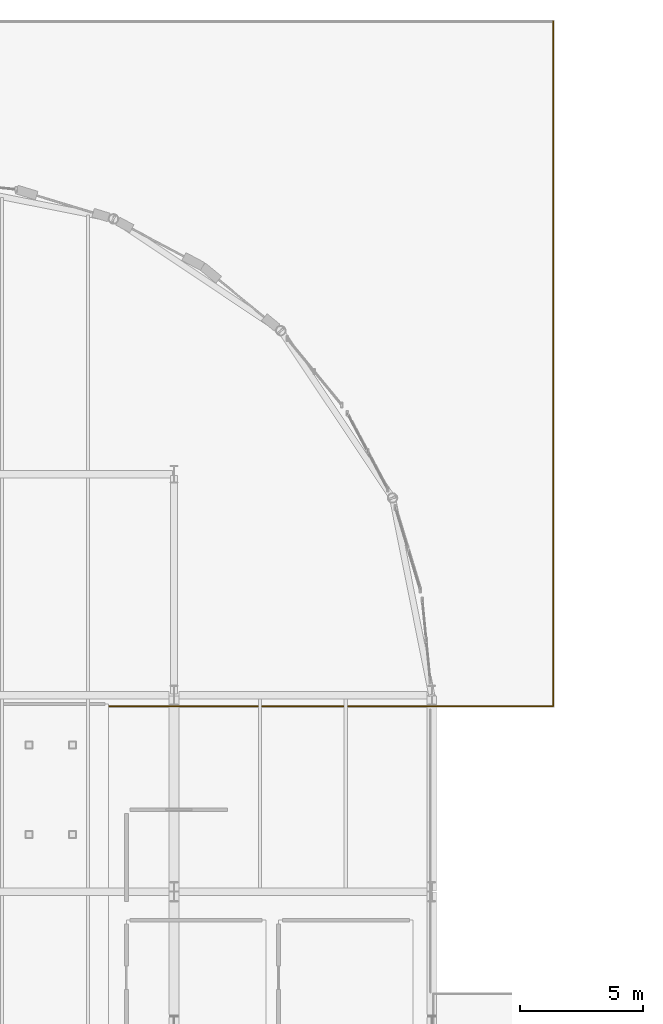
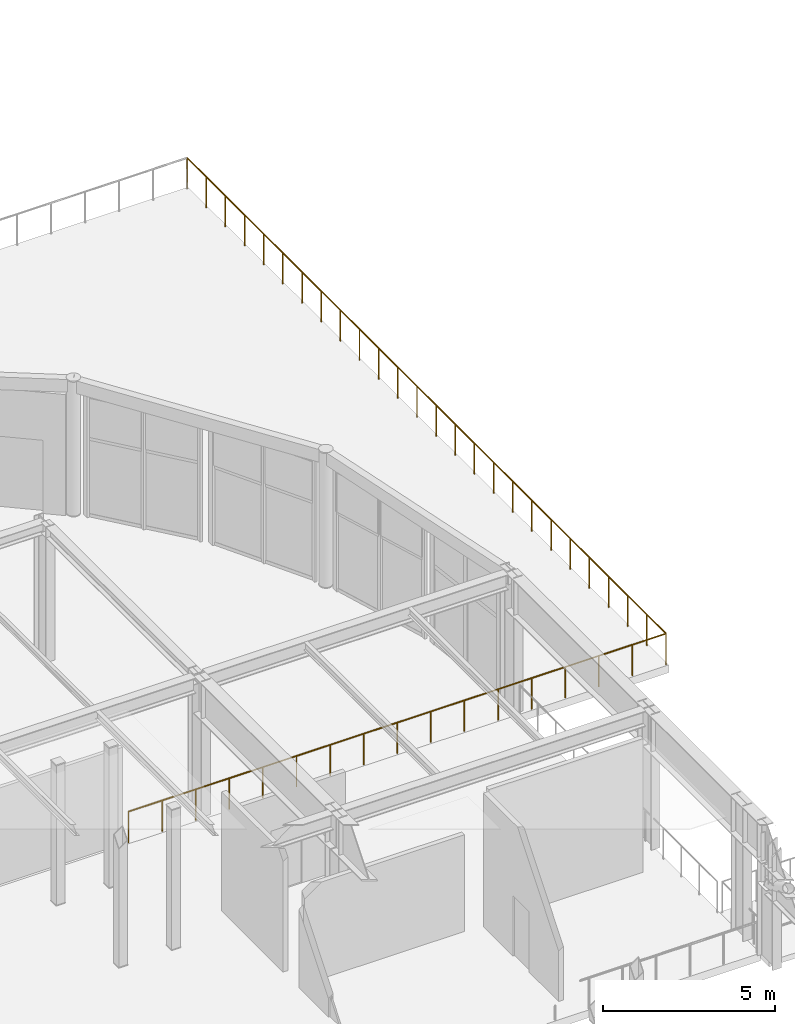
# One storey, part 131 of 143: 1 railing.
"""IFC4 building model written with IfcOpenShell, lengths in metres."""

from ifc_helpers import new_model, si_unit, direction, frame, origin, origin_2d, place, context, subcontext, project, spatial, circle, extrude, material, type_object, element, save


model = new_model("IFC4")

# Units and contexts
model_context = context("Model", 3, precision=1e-05, world=origin(), true_north=direction((0.0, 1.0)))
body_context = subcontext(model_context, "Body", "Model", "MODEL_VIEW")
ifc_project = project(units=[si_unit("LENGTHUNIT", "METRE"), si_unit("AREAUNIT", "SQUARE_METRE"), si_unit("VOLUMEUNIT", "CUBIC_METRE"), si_unit("PLANEANGLEUNIT", "RADIAN"), si_unit("MASSUNIT", "GRAM", prefix="KILO")], contexts=[model_context])

# Site, building, storey
site_placement = place(None, origin())
site = spatial("IfcSite", under=ifc_project, at=site_placement, CompositionType="ELEMENT")
building_placement = place(site_placement, origin())
building = spatial("IfcBuilding", under=site, at=building_placement, Name="Marlcrest Central Station", CompositionType="ELEMENT")
storey_placement = place(building_placement, frame((0.0, 0.0, 4.800048828125)))
storey = spatial("IfcBuildingStorey", under=building, at=storey_placement, Name="L01", CompositionType="ELEMENT", Elevation=4.800048828125)

# Railing
ifc_material = material(Name="Stainless steel and laminated glass concourse balustrade", Category="steel")
railing_type = type_object("IfcRailingType", Name="GR-02", PredefinedType="BALUSTRADE", material=ifc_material)
railing_placement = place(storey_placement, frame((133.93994140625, 137.93994140625, 0.0)))
element("IfcRailing", 1, at=railing_placement, inside=storey, type_object=railing_type, Name="hr-L01-00367", PredefinedType="BALUSTRADE", context=body_context, shape_type="SweptSolid", body=[
    extrude(circle(Radius=0.02392578125, at=origin_2d()), frame((0.0, 0.0, 1.09619140625), z_axis=(0.0, -1.0, 0.0), x_axis=(1.0, 0.0, 0.0)), (0.0, 0.0, 1.0), 27.8798828125),
    extrude(circle(Radius=0.02392578125, at=origin_2d()), frame((0.0, -27.8798828125, 1.09619140625), z_axis=(-1.0, 0.0, 0.0), x_axis=(0.0, -1.0, 0.0)), (0.0, 0.0, 1.0), 18.06689453125),
    extrude(circle(Radius=0.02099609375, at=origin_2d()), origin(), (0.0, 0.0, 1.0), 1.072021484375),
    extrude(circle(Radius=0.02099609375, at=origin_2d()), frame((0.0, -1.115234375, 0.0)), (0.0, 0.0, 1.0), 1.072021484375),
    extrude(circle(Radius=0.02099609375, at=origin_2d()), frame((0.0, -2.23046875, 0.0)), (0.0, 0.0, 1.0), 1.072021484375),
    extrude(circle(Radius=0.02099609375, at=origin_2d()), frame((0.0, -3.345703125, 0.0)), (0.0, 0.0, 1.0), 1.072021484375),
    extrude(circle(Radius=0.02099609375, at=origin_2d()), frame((0.0, -4.460693359375, 0.0)), (0.0, 0.0, 1.0), 1.072021484375),
    extrude(circle(Radius=0.02099609375, at=origin_2d()), frame((0.0, -5.575927734375, 0.0)), (0.0, 0.0, 1.0), 1.072021484375),
    extrude(circle(Radius=0.02099609375, at=origin_2d()), frame((0.0, -6.691162109375, 0.0)), (0.0, 0.0, 1.0), 1.072021484375),
    extrude(circle(Radius=0.02099609375, at=origin_2d()), frame((0.0, -7.806396484375, 0.0)), (0.0, 0.0, 1.0), 1.072021484375),
    extrude(circle(Radius=0.02099609375, at=origin_2d()), frame((0.0, -8.921630859375, 0.0)), (0.0, 0.0, 1.0), 1.072021484375),
    extrude(circle(Radius=0.02099609375, at=origin_2d()), frame((0.0, -10.036865234375, 0.0)), (0.0, 0.0, 1.0), 1.072021484375),
    extrude(circle(Radius=0.02099609375, at=origin_2d()), frame((0.0, -11.15185546875, 0.0)), (0.0, 0.0, 1.0), 1.072021484375),
    extrude(circle(Radius=0.02099609375, at=origin_2d()), frame((0.0, -12.26708984375, 0.0)), (0.0, 0.0, 1.0), 1.072021484375),
    extrude(circle(Radius=0.02099609375, at=origin_2d()), frame((0.0, -13.38232421875, 0.0)), (0.0, 0.0, 1.0), 1.072021484375),
    extrude(circle(Radius=0.02099609375, at=origin_2d()), frame((0.0, -14.49755859375, 0.0)), (0.0, 0.0, 1.0), 1.072021484375),
    extrude(circle(Radius=0.02099609375, at=origin_2d()), frame((0.0, -15.61279296875, 0.0)), (0.0, 0.0, 1.0), 1.072021484375),
    extrude(circle(Radius=0.02099609375, at=origin_2d()), frame((0.0, -16.72802734375, 0.0)), (0.0, 0.0, 1.0), 1.072021484375),
    extrude(circle(Radius=0.02099609375, at=origin_2d()), frame((0.0, -17.843017578125, 0.0)), (0.0, 0.0, 1.0), 1.072021484375),
    extrude(circle(Radius=0.02099609375, at=origin_2d()), frame((0.0, -18.958251953125, 0.0)), (0.0, 0.0, 1.0), 1.072021484375),
    extrude(circle(Radius=0.02099609375, at=origin_2d()), frame((0.0, -20.073486328125, 0.0)), (0.0, 0.0, 1.0), 1.072021484375),
    extrude(circle(Radius=0.02099609375, at=origin_2d()), frame((0.0, -21.188720703125, 0.0)), (0.0, 0.0, 1.0), 1.072021484375),
    extrude(circle(Radius=0.02099609375, at=origin_2d()), frame((0.0, -22.303955078125, 0.0)), (0.0, 0.0, 1.0), 1.072021484375),
    extrude(circle(Radius=0.02099609375, at=origin_2d()), frame((0.0, -23.419189453125, 0.0)), (0.0, 0.0, 1.0), 1.072021484375),
    extrude(circle(Radius=0.02099609375, at=origin_2d()), frame((0.0, -24.5341796875, 0.0)), (0.0, 0.0, 1.0), 1.072021484375),
    extrude(circle(Radius=0.02099609375, at=origin_2d()), frame((0.0, -25.6494140625, 0.0)), (0.0, 0.0, 1.0), 1.072021484375),
    extrude(circle(Radius=0.02099609375, at=origin_2d()), frame((0.0, -26.7646484375, 0.0)), (0.0, 0.0, 1.0), 1.072021484375),
    extrude(circle(Radius=0.02099609375, at=origin_2d()), frame((0.0, -27.8798828125, 0.0)), (0.0, 0.0, 1.0), 1.072021484375),
    extrude(circle(Radius=0.02099609375, at=origin_2d()), frame((-1.129150390625, -27.8798828125, 0.0)), (0.0, 0.0, 1.0), 1.072021484375),
    extrude(circle(Radius=0.02099609375, at=origin_2d()), frame((-2.25830078125, -27.8798828125, 0.0)), (0.0, 0.0, 1.0), 1.072021484375),
    extrude(circle(Radius=0.02099609375, at=origin_2d()), frame((-3.387451171875, -27.8798828125, 0.0)), (0.0, 0.0, 1.0), 1.072021484375),
    extrude(circle(Radius=0.02099609375, at=origin_2d()), frame((-4.5166015625, -27.8798828125, 0.0)), (0.0, 0.0, 1.0), 1.072021484375),
    extrude(circle(Radius=0.02099609375, at=origin_2d()), frame((-5.64599609375, -27.8798828125, 0.0)), (0.0, 0.0, 1.0), 1.072021484375),
    extrude(circle(Radius=0.02099609375, at=origin_2d()), frame((-6.775146484375, -27.8798828125, 0.0)), (0.0, 0.0, 1.0), 1.072021484375),
    extrude(circle(Radius=0.02099609375, at=origin_2d()), frame((-7.904296875, -27.8798828125, 0.0)), (0.0, 0.0, 1.0), 1.072021484375),
    extrude(circle(Radius=0.02099609375, at=origin_2d()), frame((-9.033447265625, -27.8798828125, 0.0)), (0.0, 0.0, 1.0), 1.072021484375),
    extrude(circle(Radius=0.02099609375, at=origin_2d()), frame((-10.16259765625, -27.8798828125, 0.0)), (0.0, 0.0, 1.0), 1.072021484375),
    extrude(circle(Radius=0.02099609375, at=origin_2d()), frame((-11.291748046875, -27.8798828125, 0.0)), (0.0, 0.0, 1.0), 1.072021484375),
    extrude(circle(Radius=0.02099609375, at=origin_2d()), frame((-12.4208984375, -27.8798828125, 0.0)), (0.0, 0.0, 1.0), 1.072021484375),
    extrude(circle(Radius=0.02099609375, at=origin_2d()), frame((-13.55029296875, -27.8798828125, 0.0)), (0.0, 0.0, 1.0), 1.072021484375),
    extrude(circle(Radius=0.02099609375, at=origin_2d()), frame((-14.679443359375, -27.8798828125, 0.0)), (0.0, 0.0, 1.0), 1.072021484375),
    extrude(circle(Radius=0.02099609375, at=origin_2d()), frame((-15.80859375, -27.8798828125, 0.0)), (0.0, 0.0, 1.0), 1.072021484375),
    extrude(circle(Radius=0.02099609375, at=origin_2d()), frame((-16.937744140625, -27.8798828125, 0.0)), (0.0, 0.0, 1.0), 1.072021484375),
    extrude(circle(Radius=0.02099609375, at=origin_2d()), frame((-18.06689453125, -27.8798828125, 0.0)), (0.0, 0.0, 1.0), 1.072021484375),
])

save(model, "model.ifc")
